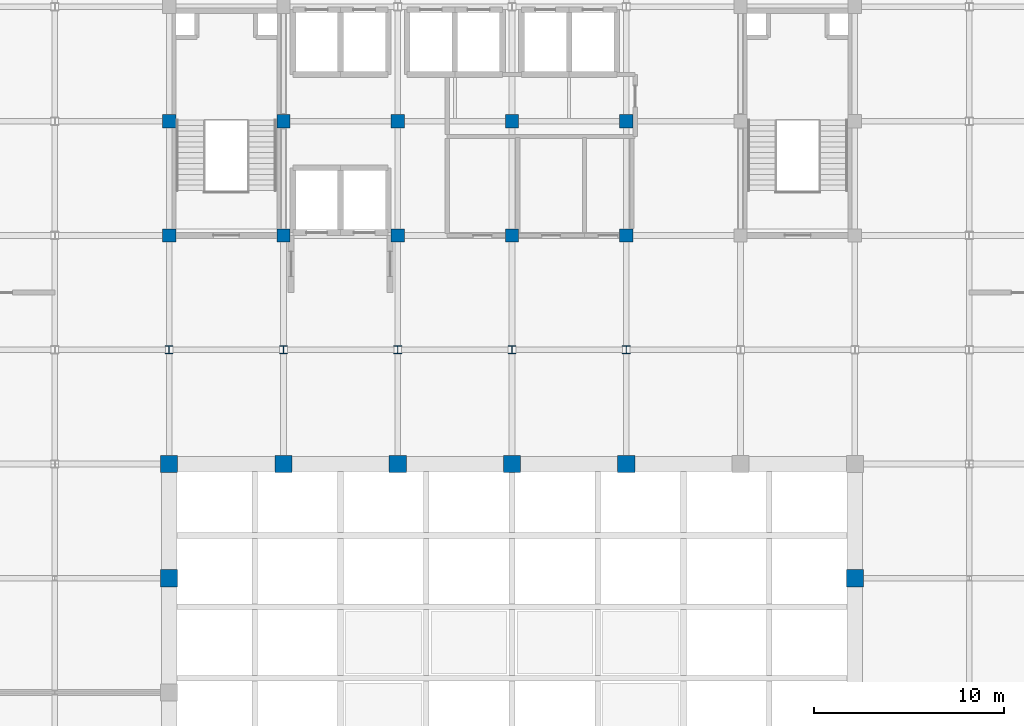
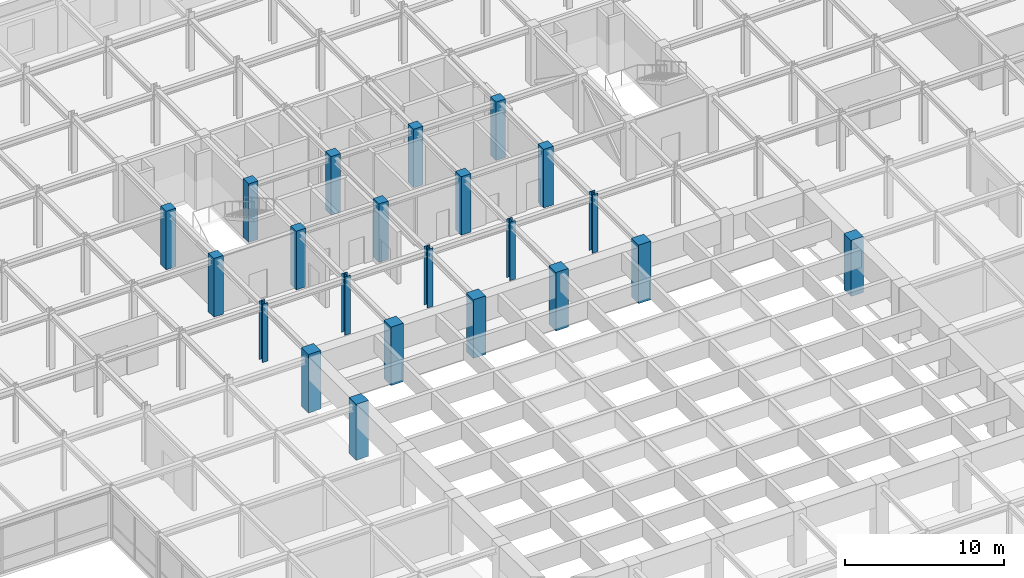
# One storey, part 17 of 111: 22 columns.
"""IFC4 building model written with IfcOpenShell, lengths in metres."""

from ifc_helpers import new_model, si_unit, direction, frame, origin, origin_2d, place, context, subcontext, project, spatial, rectangle, i_section, extrude, material, material_profile, profile_set, type_object, element, save


model = new_model("IFC4")

# Units and contexts
model_context = context("Model", 3, precision=1e-05, world=origin(), true_north=direction((0.0, 1.0)))
body_context = subcontext(model_context, "Body", "Model", "MODEL_VIEW")
ifc_project = project(units=[si_unit("LENGTHUNIT", "METRE"), si_unit("AREAUNIT", "SQUARE_METRE"), si_unit("VOLUMEUNIT", "CUBIC_METRE"), si_unit("PLANEANGLEUNIT", "RADIAN"), si_unit("MASSUNIT", "GRAM", prefix="KILO")], contexts=[model_context])

# Site, building, storey
site_placement = place(None, origin())
site = spatial("IfcSite", under=ifc_project, at=site_placement, CompositionType="ELEMENT")
building_placement = place(site_placement, origin())
building = spatial("IfcBuilding", under=site, at=building_placement, Name="Zlatovratsky Civic Hall", CompositionType="ELEMENT")
storey_placement = place(building_placement, frame((0.0, 0.0, 16.5)))
storey = spatial("IfcBuildingStorey", under=building, at=storey_placement, Name="L04", CompositionType="ELEMENT", Elevation=16.5)

# Columns
ifc_material_1 = material(Name="Concrete C35/45 (B40)", Category="concrete")
ifc_material_profile_1 = material_profile(ifc_material_1, rectangle(XDim=0.89990234375, YDim=0.89990234375, at=origin_2d()), Name="RC 900x900")
ifc_profile_set_1 = profile_set([ifc_material_profile_1], Name="Concrete C35/45 (B40)")
column_type_1 = type_object("IfcColumnType", Name="Col_ChamberPier_RC900", PredefinedType="COLUMN", material=ifc_profile_set_1)
for number, where, z_axis, x_axis, name in (
    (1, (66.0, 66.0, 0.0), (0.0, 0.0, 1.0), (1.0, 0.0, 0.0), "CL-1719"),
    (2, (102.0, 66.0, 0.0), (0.0, 0.0, 1.0), (1.0, 0.0, 0.0), "CL-1720"),
):
    element("IfcColumn", number, at=place(storey_placement, frame(where, z_axis=z_axis, x_axis=x_axis)), inside=storey, type_object=column_type_1, Name=name, PredefinedType="COLUMN", context=body_context, shape_type="SweptSolid", body=[
        extrude(rectangle(XDim=0.89990234375, YDim=0.89990234375, at=origin_2d()), origin(), (0.0, 0.0, 1.0), 4.300048828125),
    ])
for number, where, z_axis, x_axis, name in (
    (3, (66.0, 72.0, 0.0), (0.0, 0.0, 1.0), (1.0, 0.0, 0.0), "CL-1737"),
    (4, (72.0, 72.0, 0.0), (0.0, 0.0, 1.0), (1.0, 0.0, 0.0), "CL-1738"),
    (5, (78.0, 72.0, 0.0), (0.0, 0.0, 1.0), (1.0, 0.0, 0.0), "CL-1739"),
    (6, (84.0, 72.0, 0.0), (0.0, 0.0, 1.0), (1.0, 0.0, 0.0), "CL-1740"),
    (7, (90.0, 72.0, 0.0), (0.0, 0.0, 1.0), (1.0, 0.0, 0.0), "CL-1741"),
):
    element("IfcColumn", number, at=place(storey_placement, frame(where, z_axis=z_axis, x_axis=x_axis)), inside=storey, type_object=column_type_1, Name=name, PredefinedType="COLUMN", context=body_context, shape_type="SweptSolid", body=[
        extrude(rectangle(XDim=0.89990234375, YDim=0.89990234375, at=origin_2d()), origin(), (0.0, 0.0, 1.0), 4.5),
    ])
ifc_material_profile_2 = material_profile(ifc_material_1, rectangle(XDim=0.699951171875, YDim=0.699951171875, at=origin_2d()), Name="RC 700x700")
ifc_profile_set_2 = profile_set([ifc_material_profile_2], Name="Concrete C35/45 (B40)")
column_type_2 = type_object("IfcColumnType", Name="Col_CorePier_RC700", PredefinedType="COLUMN", material=ifc_profile_set_2)
for number, where, z_axis, x_axis, name in (
    (8, (66.0, 84.0, 0.0), (0.0, 0.0, 1.0), (1.0, 0.0, 0.0), "CL-1783"),
    (9, (72.0, 84.0, 0.0), (0.0, 0.0, 1.0), (1.0, 0.0, 0.0), "CL-1784"),
    (10, (78.0, 84.0, 0.0), (0.0, 0.0, 1.0), (1.0, 0.0, 0.0), "CL-1785"),
    (11, (84.0, 84.0, 0.0), (0.0, 0.0, 1.0), (1.0, 0.0, 0.0), "CL-1786"),
    (12, (90.0, 84.0, 0.0), (0.0, 0.0, 1.0), (1.0, 0.0, 0.0), "CL-1787"),
    (13, (66.0, 90.0, 0.0), (0.0, 0.0, 1.0), (1.0, 0.0, 0.0), "CL-1806"),
    (14, (72.0, 90.0, 0.0), (0.0, 0.0, 1.0), (1.0, 0.0, 0.0), "CL-1807"),
    (15, (78.0, 90.0, 0.0), (0.0, 0.0, 1.0), (1.0, 0.0, 0.0), "CL-1808"),
    (16, (84.0, 90.0, 0.0), (0.0, 0.0, 1.0), (1.0, 0.0, 0.0), "CL-1809"),
    (17, (90.0, 90.0, 0.0), (0.0, 0.0, 1.0), (1.0, 0.0, 0.0), "CL-1810"),
):
    element("IfcColumn", number, at=place(storey_placement, frame(where, z_axis=z_axis, x_axis=x_axis)), inside=storey, type_object=column_type_2, Name=name, PredefinedType="COLUMN", context=body_context, shape_type="SweptSolid", body=[
        extrude(rectangle(XDim=0.699951171875, YDim=0.699951171875, at=origin_2d()), origin(), (0.0, 0.0, 1.0), 4.5),
    ])
ifc_material_2 = material(Name="Steel S355", Category="steel")
ifc_material_profile_3 = material_profile(ifc_material_2, i_section(OverallWidth=0.405029296875, OverallDepth=0.41796875, WebThickness=0.02001953125, FlangeThickness=0.030029296875, FilletRadius=0.02197265625, at=origin_2d()), Name="40K4")
ifc_profile_set_3 = profile_set([ifc_material_profile_3], Name="Steel S355")
column_type_3 = type_object("IfcColumnType", Name="Col_Steel_40K4", PredefinedType="COLUMN", material=ifc_profile_set_3)
for number, where, z_axis, x_axis, name in (
    (18, (66.0, 78.0, 0.0), (0.0, 0.0, 1.0), (1.0, 0.0, 0.0), "CL-1760"),
    (19, (72.0, 78.0, 0.0), (0.0, 0.0, 1.0), (1.0, 0.0, 0.0), "CL-1761"),
    (20, (78.0, 78.0, 0.0), (0.0, 0.0, 1.0), (1.0, 0.0, 0.0), "CL-1762"),
    (21, (84.0, 78.0, 0.0), (0.0, 0.0, 1.0), (1.0, 0.0, 0.0), "CL-1763"),
    (22, (90.0, 78.0, 0.0), (0.0, 0.0, 1.0), (1.0, 0.0, 0.0), "CL-1764"),
):
    element("IfcColumn", number, at=place(storey_placement, frame(where, z_axis=z_axis, x_axis=x_axis)), inside=storey, type_object=column_type_3, Name=name, PredefinedType="COLUMN", context=body_context, shape_type="SweptSolid", body=[
        extrude(i_section(OverallWidth=0.405029296875, OverallDepth=0.41796875, WebThickness=0.02001953125, FlangeThickness=0.030029296875, FilletRadius=0.02197265625, at=origin_2d()), origin(), (0.0, 0.0, 1.0), 4.5),
    ])

save(model, "model.ifc")
